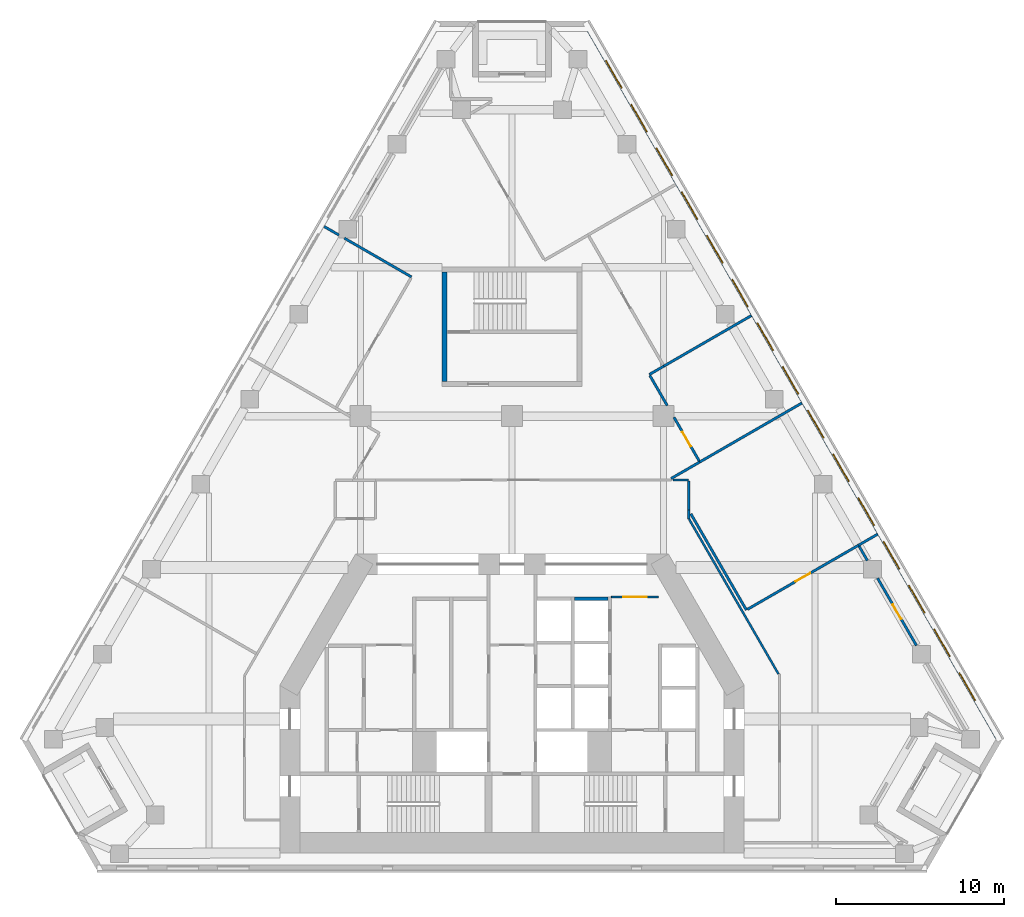
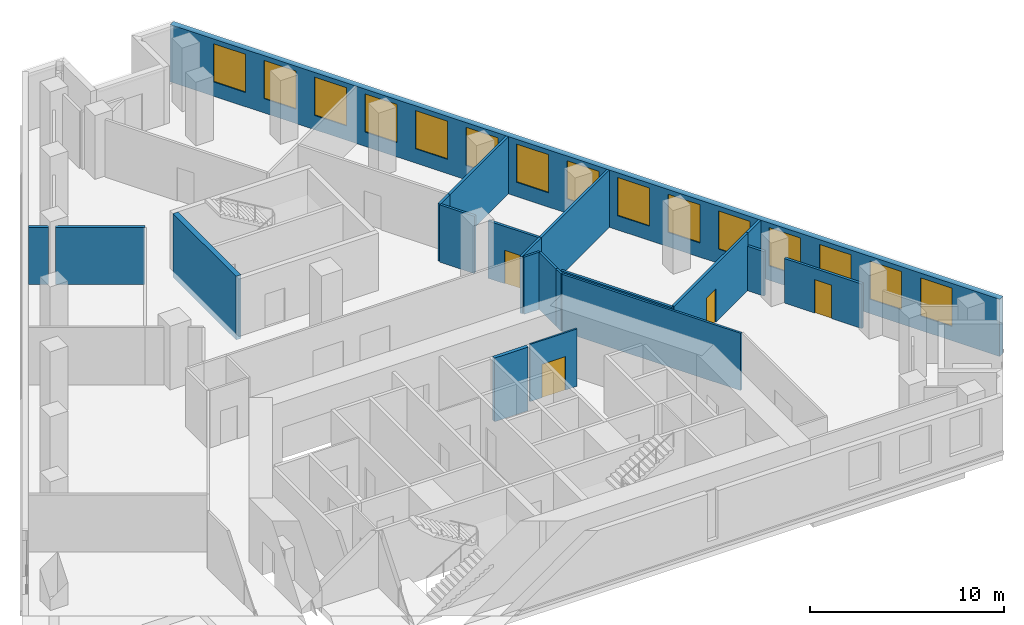
# One storey, part 7 of 9: 21 walls, 15 windows, 4 doors, 19 openings.
"""IFC4 building model written with IfcOpenShell, lengths in metres."""

from ifc_helpers import new_model, si_unit, direction, frame, frame_2d, origin, place, context, subcontext, project, spatial, rectangle, extrude, material, layer, layer_set, type_object, element, fill, save


model = new_model("IFC4")

# Units and contexts
model_context = context("Model", 3, precision=1e-05, world=origin(), true_north=direction((0.0, 1.0)))
body_context = subcontext(model_context, "Body", "Model", "MODEL_VIEW")
ifc_project = project(units=[si_unit("LENGTHUNIT", "METRE"), si_unit("AREAUNIT", "SQUARE_METRE"), si_unit("VOLUMEUNIT", "CUBIC_METRE"), si_unit("PLANEANGLEUNIT", "RADIAN"), si_unit("MASSUNIT", "GRAM", prefix="KILO")], contexts=[model_context])

# Site, building, storey
site_placement = place(None, origin())
site = spatial("IfcSite", under=ifc_project, at=site_placement, CompositionType="ELEMENT")
building_placement = place(site_placement, origin())
building = spatial("IfcBuilding", under=site, at=building_placement, Name="Fogline Exchange Tower", CompositionType="ELEMENT")
storey_placement = place(building_placement, frame((0.0, 0.0, 150.89990234375)))
storey = spatial("IfcBuildingStorey", under=building, at=storey_placement, Name="L33", CompositionType="ELEMENT", Elevation=150.89990234375)

# Wall, opening, door
ifc_material_1 = material(Name="Blockwork partition", Category="masonry")
ifc_layer_1 = layer(ifc_material_1, 0.10009765625)
ifc_layer_set_1 = layer_set([ifc_layer_1], Name="CW10")
wall_type_1 = type_object("IfcWallType", Name="CW10", PredefinedType="PARTITIONING", material=ifc_layer_set_1)
wall_1_placement = place(storey_placement, frame((5.89990234375, 16.25, 0.0), z_axis=(0.0, 0.0, 1.0), x_axis=(1.0, 0.0, 0.0)))
wall_1 = element("IfcWall", 1, at=wall_1_placement, inside=storey, type_object=wall_type_1, Name="Lift lobby partition", PredefinedType="PARTITIONING", context=body_context, shape_type="SweptSolid", body=[
    extrude(rectangle(XDim=2.800048828125, YDim=0.10009765625, at=frame_2d((1.39990234375, 0.0))), origin(), (0.0, 0.0, 1.0), 3.60009765625),
])
opening_1_placement = place(wall_1_placement, frame((0.699951171875, 0.0, 0.0)))
opening_1 = element("IfcOpeningElement", 2, at=opening_1_placement, cuts=wall_1, Name="Opening T10-C012", PredefinedType="OPENING", context=body_context, shape_type="SweptSolid", body=[
    extrude(rectangle(XDim=1.39990234375, YDim=2.10009765625, at=frame_2d((0.699951171875, 1.050048828125))), frame((0.0, 0.06005859375, 0.0), z_axis=(0.0, -1.0, 0.0), x_axis=(1.0, 0.0, 0.0)), (0.0, 0.0, 1.0), 0.1201171875),
])
ifc_material_2 = material(Name="Steel and timber fire door", Category="steel")
door_type_1 = type_object("IfcDoorType", Name="D-LB1", OperationType="DOUBLE_DOOR_SINGLE_SWING", PredefinedType="DOOR", material=ifc_material_2)
door_1_placement = place(opening_1_placement, origin())
door_1 = element("IfcDoor", 3, at=door_1_placement, inside=storey, type_object=door_type_1, Name="Door to lift lobby", OperationType="DOUBLE_DOOR_SINGLE_SWING", OverallHeight=2.10009765625, OverallWidth=1.39990234375, PredefinedType="DOOR", context=body_context, shape_type="SweptSolid", body=[
    extrude(rectangle(XDim=1.39990234375, YDim=2.10009765625, at=frame_2d((0.699951171875, 1.050048828125))), frame((0.0, 0.02490234375, 0.0), z_axis=(0.0, -1.0, 0.0), x_axis=(1.0, 0.0, 0.0)), (0.0, 0.0, 1.0), 0.050048828125),
])
fill(opening_1, door_1)

# Walls
ifc_material_3 = material(Name="Concrete C40", Category="concrete")
ifc_layer_2 = layer(ifc_material_3, 0.199951171875)
ifc_layer_set_2 = layer_set([ifc_layer_2], Name="CW20S")
wall_type_2 = type_object("IfcWallType", Name="CW20S", PredefinedType="SOLIDWALL", material=ifc_layer_set_2)
wall_2_placement = place(storey_placement, frame((3.699951171875, 16.14990234375, -0.39990234375), z_axis=(0.0, 0.0, 1.0), x_axis=(1.0, 0.0, 0.0)))
element("IfcWall", 4, at=wall_2_placement, inside=storey, type_object=wall_type_2, Name="Lift shaft wall", PredefinedType="SOLIDWALL", context=body_context, shape_type="SweptSolid", body=[
    extrude(rectangle(XDim=2.0, YDim=0.199951171875, at=frame_2d((1.0, 0.0))), origin(), (0.0, 0.0, 1.0), 4.0),
])
ifc_layer_3 = layer(ifc_material_3, 0.300048828125)
ifc_layer_set_3 = layer_set([ifc_layer_3], Name="CW30")
wall_type_3 = type_object("IfcWallType", Name="CW30", PredefinedType="SOLIDWALL", material=ifc_layer_set_3)
wall_3_placement = place(storey_placement, frame((-4.0, 29.056884765625, -0.39990234375), z_axis=(0.0, 0.0, 1.0), x_axis=(0.0, 1.0, 0.0)))
element("IfcWall", 5, at=wall_3_placement, inside=storey, type_object=wall_type_3, Name="Stair enclosure wall ST3", PredefinedType="SOLIDWALL", context=body_context, shape_type="SweptSolid", body=[
    extrude(rectangle(XDim=6.5, YDim=0.300048828125, at=frame_2d((3.25, 0.0))), origin(), (0.0, 0.0, 1.0), 4.0),
])

# Wall, openings, windows
ifc_material_4 = material(Name="Brick masonry", Category="masonry")
ifc_layer_4 = layer(ifc_material_4, 0.340087890625)
ifc_layer_set_4 = layer_set([ifc_layer_4], Name="FW1")
wall_type_4 = type_object("IfcWallType", Name="FW1", PredefinedType="SOLIDWALL", material=ifc_layer_set_4)
wall_4_placement = place(storey_placement, frame((29.001220703125, 7.709228515625, 0.0), z_axis=(0.0, 0.0, 1.0), x_axis=(-0.499999677325, 0.866025590081, 0.0)))
wall_4 = element("IfcWall", 6, at=wall_4_placement, inside=storey, type_object=wall_type_4, Name="Brick wall L33 E", PredefinedType="SOLIDWALL", context=body_context, shape_type="SweptSolid", body=[
    extrude(rectangle(XDim=49.296875, YDim=0.340087890625, at=frame_2d((24.6484375, 0.0))), origin(), (0.0, 0.0, 1.0), 3.60009765625),
])
opening_2_placement = place(wall_4_placement, frame((2.82421875, 0.0, 0.89990234375)))
opening_2 = element("IfcOpeningElement", 7, at=opening_2_placement, cuts=wall_4, Name="Opening W1", PredefinedType="OPENING", context=body_context, shape_type="SweptSolid", body=[
    extrude(rectangle(XDim=1.885009765625, YDim=2.39990234375, at=frame_2d((0.9423828125, 1.199951171875))), frame((0.0, 0.18017578125, 0.0), z_axis=(0.0, -1.0, 0.0), x_axis=(1.0, 0.0, 0.0)), (0.0, 0.0, 1.0), 0.360107421875),
])
opening_3_placement = place(wall_4_placement, frame((5.82421875, 0.0, 0.89990234375)))
opening_3 = element("IfcOpeningElement", 8, at=opening_3_placement, cuts=wall_4, Name="Opening W1", PredefinedType="OPENING", context=body_context, shape_type="SweptSolid", body=[
    extrude(rectangle(XDim=1.885009765625, YDim=2.39990234375, at=frame_2d((0.9423828125, 1.199951171875))), frame((0.0, 0.18017578125, 0.0), z_axis=(0.0, -1.0, 0.0), x_axis=(1.0, 0.0, 0.0)), (0.0, 0.0, 1.0), 0.360107421875),
])
opening_4_placement = place(wall_4_placement, frame((8.82421875, 0.0, 0.89990234375)))
opening_4 = element("IfcOpeningElement", 9, at=opening_4_placement, cuts=wall_4, Name="Opening W1", PredefinedType="OPENING", context=body_context, shape_type="SweptSolid", body=[
    extrude(rectangle(XDim=1.885009765625, YDim=2.39990234375, at=frame_2d((0.9423828125, 1.199951171875))), frame((0.0, 0.18017578125, 0.0), z_axis=(0.0, -1.0, 0.0), x_axis=(1.0, 0.0, 0.0)), (0.0, 0.0, 1.0), 0.360107421875),
])
opening_5_placement = place(wall_4_placement, frame((11.82421875, 0.0, 0.89990234375)))
opening_5 = element("IfcOpeningElement", 10, at=opening_5_placement, cuts=wall_4, Name="Opening W1", PredefinedType="OPENING", context=body_context, shape_type="SweptSolid", body=[
    extrude(rectangle(XDim=1.885009765625, YDim=2.39990234375, at=frame_2d((0.9423828125, 1.199951171875))), frame((0.0, 0.18017578125, 0.0), z_axis=(0.0, -1.0, 0.0), x_axis=(1.0, 0.0, 0.0)), (0.0, 0.0, 1.0), 0.360107421875),
])
opening_6_placement = place(wall_4_placement, frame((14.82421875, 0.0, 0.89990234375)))
opening_6 = element("IfcOpeningElement", 11, at=opening_6_placement, cuts=wall_4, Name="Opening W1", PredefinedType="OPENING", context=body_context, shape_type="SweptSolid", body=[
    extrude(rectangle(XDim=1.885009765625, YDim=2.39990234375, at=frame_2d((0.9423828125, 1.199951171875))), frame((0.0, 0.18017578125, 0.0), z_axis=(0.0, -1.0, 0.0), x_axis=(1.0, 0.0, 0.0)), (0.0, 0.0, 1.0), 0.360107421875),
])
opening_7_placement = place(wall_4_placement, frame((17.82421875, 0.0, 0.89990234375)))
opening_7 = element("IfcOpeningElement", 12, at=opening_7_placement, cuts=wall_4, Name="Opening W1", PredefinedType="OPENING", context=body_context, shape_type="SweptSolid", body=[
    extrude(rectangle(XDim=1.885009765625, YDim=2.39990234375, at=frame_2d((0.9423828125, 1.199951171875))), frame((0.0, 0.18017578125, 0.0), z_axis=(0.0, -1.0, 0.0), x_axis=(1.0, 0.0, 0.0)), (0.0, 0.0, 1.0), 0.360107421875),
])
opening_8_placement = place(wall_4_placement, frame((20.82421875, 0.0, 0.89990234375)))
opening_8 = element("IfcOpeningElement", 13, at=opening_8_placement, cuts=wall_4, Name="Opening W1", PredefinedType="OPENING", context=body_context, shape_type="SweptSolid", body=[
    extrude(rectangle(XDim=1.885009765625, YDim=2.39990234375, at=frame_2d((0.9423828125, 1.199951171875))), frame((0.0, 0.18017578125, 0.0), z_axis=(0.0, -1.0, 0.0), x_axis=(1.0, 0.0, 0.0)), (0.0, 0.0, 1.0), 0.360107421875),
])
opening_9_placement = place(wall_4_placement, frame((23.82421875, 0.0, 0.89990234375)))
opening_9 = element("IfcOpeningElement", 14, at=opening_9_placement, cuts=wall_4, Name="Opening W1", PredefinedType="OPENING", context=body_context, shape_type="SweptSolid", body=[
    extrude(rectangle(XDim=1.885009765625, YDim=2.39990234375, at=frame_2d((0.9423828125, 1.199951171875))), frame((0.0, 0.18017578125, 0.0), z_axis=(0.0, -1.0, 0.0), x_axis=(1.0, 0.0, 0.0)), (0.0, 0.0, 1.0), 0.360107421875),
])
opening_10_placement = place(wall_4_placement, frame((26.82421875, 0.0, 0.89990234375)))
opening_10 = element("IfcOpeningElement", 15, at=opening_10_placement, cuts=wall_4, Name="Opening W1", PredefinedType="OPENING", context=body_context, shape_type="SweptSolid", body=[
    extrude(rectangle(XDim=1.885009765625, YDim=2.39990234375, at=frame_2d((0.9423828125, 1.199951171875))), frame((0.0, 0.18017578125, 0.0), z_axis=(0.0, -1.0, 0.0), x_axis=(1.0, 0.0, 0.0)), (0.0, 0.0, 1.0), 0.360107421875),
])
opening_11_placement = place(wall_4_placement, frame((29.82421875, 0.0, 0.89990234375)))
opening_11 = element("IfcOpeningElement", 16, at=opening_11_placement, cuts=wall_4, Name="Opening W1", PredefinedType="OPENING", context=body_context, shape_type="SweptSolid", body=[
    extrude(rectangle(XDim=1.885009765625, YDim=2.39990234375, at=frame_2d((0.9423828125, 1.199951171875))), frame((0.0, 0.18017578125, 0.0), z_axis=(0.0, -1.0, 0.0), x_axis=(1.0, 0.0, 0.0)), (0.0, 0.0, 1.0), 0.360107421875),
])
opening_12_placement = place(wall_4_placement, frame((32.82421875, 0.0, 0.89990234375)))
opening_12 = element("IfcOpeningElement", 17, at=opening_12_placement, cuts=wall_4, Name="Opening W1", PredefinedType="OPENING", context=body_context, shape_type="SweptSolid", body=[
    extrude(rectangle(XDim=1.885009765625, YDim=2.39990234375, at=frame_2d((0.9423828125, 1.199951171875))), frame((0.0, 0.18017578125, 0.0), z_axis=(0.0, -1.0, 0.0), x_axis=(1.0, 0.0, 0.0)), (0.0, 0.0, 1.0), 0.360107421875),
])
opening_13_placement = place(wall_4_placement, frame((35.82421875, 0.0, 0.89990234375)))
opening_13 = element("IfcOpeningElement", 18, at=opening_13_placement, cuts=wall_4, Name="Opening W1", PredefinedType="OPENING", context=body_context, shape_type="SweptSolid", body=[
    extrude(rectangle(XDim=1.885009765625, YDim=2.39990234375, at=frame_2d((0.9423828125, 1.199951171875))), frame((0.0, 0.18017578125, 0.0), z_axis=(0.0, -1.0, 0.0), x_axis=(1.0, 0.0, 0.0)), (0.0, 0.0, 1.0), 0.360107421875),
])
opening_14_placement = place(wall_4_placement, frame((38.82421875, 0.0, 0.89990234375)))
opening_14 = element("IfcOpeningElement", 19, at=opening_14_placement, cuts=wall_4, Name="Opening W1", PredefinedType="OPENING", context=body_context, shape_type="SweptSolid", body=[
    extrude(rectangle(XDim=1.885009765625, YDim=2.39990234375, at=frame_2d((0.9423828125, 1.199951171875))), frame((0.0, 0.18017578125, 0.0), z_axis=(0.0, -1.0, 0.0), x_axis=(1.0, 0.0, 0.0)), (0.0, 0.0, 1.0), 0.360107421875),
])
opening_15_placement = place(wall_4_placement, frame((41.82421875, 0.0, 0.89990234375)))
opening_15 = element("IfcOpeningElement", 20, at=opening_15_placement, cuts=wall_4, Name="Opening W1", PredefinedType="OPENING", context=body_context, shape_type="SweptSolid", body=[
    extrude(rectangle(XDim=1.885009765625, YDim=2.39990234375, at=frame_2d((0.9423828125, 1.199951171875))), frame((0.0, 0.18017578125, 0.0), z_axis=(0.0, -1.0, 0.0), x_axis=(1.0, 0.0, 0.0)), (0.0, 0.0, 1.0), 0.360107421875),
])
opening_16_placement = place(wall_4_placement, frame((44.82421875, 0.0, 0.89990234375)))
opening_16 = element("IfcOpeningElement", 21, at=opening_16_placement, cuts=wall_4, Name="Opening W1", PredefinedType="OPENING", context=body_context, shape_type="SweptSolid", body=[
    extrude(rectangle(XDim=1.885009765625, YDim=2.39990234375, at=frame_2d((0.9423828125, 1.199951171875))), frame((0.0, 0.18017578125, 0.0), z_axis=(0.0, -1.0, 0.0), x_axis=(1.0, 0.0, 0.0)), (0.0, 0.0, 1.0), 0.360107421875),
])
ifc_material_5 = material(Name="Aluminium and glass", Category="aluminium")
window_type = type_object("IfcWindowType", Name="W1", PartitioningType="SINGLE_PANEL", PredefinedType="WINDOW", material=ifc_material_5)
window_1_placement = place(opening_2_placement, origin())
window_1 = element("IfcWindow", 22, at=window_1_placement, inside=storey, type_object=window_type, Name="W1 W1", OverallHeight=2.39990234375, OverallWidth=1.885009765625, PartitioningType="SINGLE_PANEL", PredefinedType="WINDOW", context=body_context, shape_type="SweptSolid", body=[
    extrude(rectangle(XDim=1.885009765625, YDim=2.39990234375, at=frame_2d((0.9423828125, 1.199951171875))), frame((0.0, 0.110107421875, 0.0), z_axis=(0.0, -1.0, 0.0), x_axis=(1.0, 0.0, 0.0)), (0.0, 0.0, 1.0), 0.06005859375),
])
fill(opening_2, window_1)
window_2_placement = place(opening_3_placement, origin())
window_2 = element("IfcWindow", 23, at=window_2_placement, inside=storey, type_object=window_type, Name="W1 W1", OverallHeight=2.39990234375, OverallWidth=1.885009765625, PartitioningType="SINGLE_PANEL", PredefinedType="WINDOW", context=body_context, shape_type="SweptSolid", body=[
    extrude(rectangle(XDim=1.885009765625, YDim=2.39990234375, at=frame_2d((0.9423828125, 1.199951171875))), frame((0.0, 0.110107421875, 0.0), z_axis=(0.0, -1.0, 0.0), x_axis=(1.0, 0.0, 0.0)), (0.0, 0.0, 1.0), 0.06005859375),
])
fill(opening_3, window_2)
window_3_placement = place(opening_4_placement, origin())
window_3 = element("IfcWindow", 24, at=window_3_placement, inside=storey, type_object=window_type, Name="W1 W1", OverallHeight=2.39990234375, OverallWidth=1.885009765625, PartitioningType="SINGLE_PANEL", PredefinedType="WINDOW", context=body_context, shape_type="SweptSolid", body=[
    extrude(rectangle(XDim=1.885009765625, YDim=2.39990234375, at=frame_2d((0.9423828125, 1.199951171875))), frame((0.0, 0.110107421875, 0.0), z_axis=(0.0, -1.0, 0.0), x_axis=(1.0, 0.0, 0.0)), (0.0, 0.0, 1.0), 0.06005859375),
])
fill(opening_4, window_3)
window_4_placement = place(opening_5_placement, origin())
window_4 = element("IfcWindow", 25, at=window_4_placement, inside=storey, type_object=window_type, Name="W1 W1", OverallHeight=2.39990234375, OverallWidth=1.885009765625, PartitioningType="SINGLE_PANEL", PredefinedType="WINDOW", context=body_context, shape_type="SweptSolid", body=[
    extrude(rectangle(XDim=1.885009765625, YDim=2.39990234375, at=frame_2d((0.9423828125, 1.199951171875))), frame((0.0, 0.110107421875, 0.0), z_axis=(0.0, -1.0, 0.0), x_axis=(1.0, 0.0, 0.0)), (0.0, 0.0, 1.0), 0.06005859375),
])
fill(opening_5, window_4)
window_5_placement = place(opening_6_placement, origin())
window_5 = element("IfcWindow", 26, at=window_5_placement, inside=storey, type_object=window_type, Name="W1 W1", OverallHeight=2.39990234375, OverallWidth=1.885009765625, PartitioningType="SINGLE_PANEL", PredefinedType="WINDOW", context=body_context, shape_type="SweptSolid", body=[
    extrude(rectangle(XDim=1.885009765625, YDim=2.39990234375, at=frame_2d((0.9423828125, 1.199951171875))), frame((0.0, 0.110107421875, 0.0), z_axis=(0.0, -1.0, 0.0), x_axis=(1.0, 0.0, 0.0)), (0.0, 0.0, 1.0), 0.06005859375),
])
fill(opening_6, window_5)
window_6_placement = place(opening_7_placement, origin())
window_6 = element("IfcWindow", 27, at=window_6_placement, inside=storey, type_object=window_type, Name="W1 W1", OverallHeight=2.39990234375, OverallWidth=1.885009765625, PartitioningType="SINGLE_PANEL", PredefinedType="WINDOW", context=body_context, shape_type="SweptSolid", body=[
    extrude(rectangle(XDim=1.885009765625, YDim=2.39990234375, at=frame_2d((0.9423828125, 1.199951171875))), frame((0.0, 0.110107421875, 0.0), z_axis=(0.0, -1.0, 0.0), x_axis=(1.0, 0.0, 0.0)), (0.0, 0.0, 1.0), 0.06005859375),
])
fill(opening_7, window_6)
window_7_placement = place(opening_8_placement, origin())
window_7 = element("IfcWindow", 28, at=window_7_placement, inside=storey, type_object=window_type, Name="W1 W1", OverallHeight=2.39990234375, OverallWidth=1.885009765625, PartitioningType="SINGLE_PANEL", PredefinedType="WINDOW", context=body_context, shape_type="SweptSolid", body=[
    extrude(rectangle(XDim=1.885009765625, YDim=2.39990234375, at=frame_2d((0.9423828125, 1.199951171875))), frame((0.0, 0.110107421875, 0.0), z_axis=(0.0, -1.0, 0.0), x_axis=(1.0, 0.0, 0.0)), (0.0, 0.0, 1.0), 0.06005859375),
])
fill(opening_8, window_7)
window_8_placement = place(opening_9_placement, origin())
window_8 = element("IfcWindow", 29, at=window_8_placement, inside=storey, type_object=window_type, Name="W1 W1", OverallHeight=2.39990234375, OverallWidth=1.885009765625, PartitioningType="SINGLE_PANEL", PredefinedType="WINDOW", context=body_context, shape_type="SweptSolid", body=[
    extrude(rectangle(XDim=1.885009765625, YDim=2.39990234375, at=frame_2d((0.9423828125, 1.199951171875))), frame((0.0, 0.110107421875, 0.0), z_axis=(0.0, -1.0, 0.0), x_axis=(1.0, 0.0, 0.0)), (0.0, 0.0, 1.0), 0.06005859375),
])
fill(opening_9, window_8)
window_9_placement = place(opening_10_placement, origin())
window_9 = element("IfcWindow", 30, at=window_9_placement, inside=storey, type_object=window_type, Name="W1 W1", OverallHeight=2.39990234375, OverallWidth=1.885009765625, PartitioningType="SINGLE_PANEL", PredefinedType="WINDOW", context=body_context, shape_type="SweptSolid", body=[
    extrude(rectangle(XDim=1.885009765625, YDim=2.39990234375, at=frame_2d((0.9423828125, 1.199951171875))), frame((0.0, 0.110107421875, 0.0), z_axis=(0.0, -1.0, 0.0), x_axis=(1.0, 0.0, 0.0)), (0.0, 0.0, 1.0), 0.06005859375),
])
fill(opening_10, window_9)
window_10_placement = place(opening_11_placement, origin())
window_10 = element("IfcWindow", 31, at=window_10_placement, inside=storey, type_object=window_type, Name="W1 W1", OverallHeight=2.39990234375, OverallWidth=1.885009765625, PartitioningType="SINGLE_PANEL", PredefinedType="WINDOW", context=body_context, shape_type="SweptSolid", body=[
    extrude(rectangle(XDim=1.885009765625, YDim=2.39990234375, at=frame_2d((0.9423828125, 1.199951171875))), frame((0.0, 0.110107421875, 0.0), z_axis=(0.0, -1.0, 0.0), x_axis=(1.0, 0.0, 0.0)), (0.0, 0.0, 1.0), 0.06005859375),
])
fill(opening_11, window_10)
window_11_placement = place(opening_12_placement, origin())
window_11 = element("IfcWindow", 32, at=window_11_placement, inside=storey, type_object=window_type, Name="W1 W1", OverallHeight=2.39990234375, OverallWidth=1.885009765625, PartitioningType="SINGLE_PANEL", PredefinedType="WINDOW", context=body_context, shape_type="SweptSolid", body=[
    extrude(rectangle(XDim=1.885009765625, YDim=2.39990234375, at=frame_2d((0.9423828125, 1.199951171875))), frame((0.0, 0.110107421875, 0.0), z_axis=(0.0, -1.0, 0.0), x_axis=(1.0, 0.0, 0.0)), (0.0, 0.0, 1.0), 0.06005859375),
])
fill(opening_12, window_11)
window_12_placement = place(opening_13_placement, origin())
window_12 = element("IfcWindow", 33, at=window_12_placement, inside=storey, type_object=window_type, Name="W1 W1", OverallHeight=2.39990234375, OverallWidth=1.885009765625, PartitioningType="SINGLE_PANEL", PredefinedType="WINDOW", context=body_context, shape_type="SweptSolid", body=[
    extrude(rectangle(XDim=1.885009765625, YDim=2.39990234375, at=frame_2d((0.9423828125, 1.199951171875))), frame((0.0, 0.110107421875, 0.0), z_axis=(0.0, -1.0, 0.0), x_axis=(1.0, 0.0, 0.0)), (0.0, 0.0, 1.0), 0.06005859375),
])
fill(opening_13, window_12)
window_13_placement = place(opening_14_placement, origin())
window_13 = element("IfcWindow", 34, at=window_13_placement, inside=storey, type_object=window_type, Name="W1 W1", OverallHeight=2.39990234375, OverallWidth=1.885009765625, PartitioningType="SINGLE_PANEL", PredefinedType="WINDOW", context=body_context, shape_type="SweptSolid", body=[
    extrude(rectangle(XDim=1.885009765625, YDim=2.39990234375, at=frame_2d((0.9423828125, 1.199951171875))), frame((0.0, 0.110107421875, 0.0), z_axis=(0.0, -1.0, 0.0), x_axis=(1.0, 0.0, 0.0)), (0.0, 0.0, 1.0), 0.06005859375),
])
fill(opening_14, window_13)
window_14_placement = place(opening_15_placement, origin())
window_14 = element("IfcWindow", 35, at=window_14_placement, inside=storey, type_object=window_type, Name="W1 W1", OverallHeight=2.39990234375, OverallWidth=1.885009765625, PartitioningType="SINGLE_PANEL", PredefinedType="WINDOW", context=body_context, shape_type="SweptSolid", body=[
    extrude(rectangle(XDim=1.885009765625, YDim=2.39990234375, at=frame_2d((0.9423828125, 1.199951171875))), frame((0.0, 0.110107421875, 0.0), z_axis=(0.0, -1.0, 0.0), x_axis=(1.0, 0.0, 0.0)), (0.0, 0.0, 1.0), 0.06005859375),
])
fill(opening_15, window_14)
window_15_placement = place(opening_16_placement, origin())
window_15 = element("IfcWindow", 36, at=window_15_placement, inside=storey, type_object=window_type, Name="W1 W1", OverallHeight=2.39990234375, OverallWidth=1.885009765625, PartitioningType="SINGLE_PANEL", PredefinedType="WINDOW", context=body_context, shape_type="SweptSolid", body=[
    extrude(rectangle(XDim=1.885009765625, YDim=2.39990234375, at=frame_2d((0.9423828125, 1.199951171875))), frame((0.0, 0.110107421875, 0.0), z_axis=(0.0, -1.0, 0.0), x_axis=(1.0, 0.0, 0.0)), (0.0, 0.0, 1.0), 0.06005859375),
])
fill(opening_16, window_15)

# Walls
ifc_material_6 = material(Name="Plasterboard corridor partition with mineral wool, 2 layers each side")
ifc_layer_5 = layer(ifc_material_6, 0.125)
ifc_layer_set_5 = layer_set([ifc_layer_5], Name="PW2")
wall_type_5 = type_object("IfcWallType", Name="PW2", PredefinedType="PARTITIONING", material=ifc_layer_set_5)
wall_5_placement = place(storey_placement, frame((10.522216796875, 20.876220703125, 0.0), z_axis=(0.0, 0.0, 1.0), x_axis=(0.499994810213, -0.866028400089, 0.0)))
element("IfcWall", 37, at=wall_5_placement, inside=storey, type_object=wall_type_5, Name="wall-L33-W001", PredefinedType="PARTITIONING", context=body_context, shape_type="SweptSolid", body=[
    extrude(rectangle(XDim=10.63037109375, YDim=0.125, at=frame_2d((5.315185546875, 0.0))), origin(), (0.0, 0.0, 1.0), 3.60009765625),
])
wall_6_placement = place(storey_placement, frame((9.557373046875, 23.199951171875, 0.0), z_axis=(0.0, 0.0, 1.0), x_axis=(1.0, 0.0, 0.0)))
element("IfcWall", 38, at=wall_6_placement, inside=storey, type_object=wall_type_5, Name="wall-L33-W004", PredefinedType="PARTITIONING", context=body_context, shape_type="SweptSolid", body=[
    extrude(rectangle(XDim=0.942626953125, YDim=0.125, at=frame_2d((0.47119140625, 0.0))), origin(), (0.0, 0.0, 1.0), 3.60009765625),
])
wall_7_placement = place(storey_placement, frame((10.5, 23.137451171875, 0.0), z_axis=(0.0, 0.0, 1.0), x_axis=(0.0, -1.0, 0.0)))
element("IfcWall", 39, at=wall_7_placement, inside=storey, type_object=wall_type_5, Name="wall-L33-W005", PredefinedType="PARTITIONING", context=body_context, shape_type="SweptSolid", body=[
    extrude(rectangle(XDim=1.72314453125, YDim=0.125, at=frame_2d((0.861572265625, 0.0))), origin(), (0.0, 0.0, 1.0), 3.60009765625),
])
wall_8_placement = place(storey_placement, frame((10.5, 21.414306640625, 0.0), z_axis=(0.0, 0.0, 1.0), x_axis=(0.0, -1.0, 0.0)))
element("IfcWall", 40, at=wall_8_placement, inside=storey, type_object=wall_type_5, Name="wall-L33-W009", PredefinedType="PARTITIONING", context=body_context, shape_type="SweptSolid", body=[
    extrude(rectangle(XDim=0.514404296875, YDim=0.125, at=frame_2d((0.25732421875, 0.0))), origin(), (0.0, 0.0, 1.0), 3.60009765625),
])
ifc_material_7 = material(Name="Plasterboard demising partition with mineral wool and acoustic board")
ifc_layer_6 = layer(ifc_material_7, 0.14990234375)
ifc_layer_set_6 = layer_set([ifc_layer_6], Name="PW3")
wall_type_6 = type_object("IfcWallType", Name="PW3", PredefinedType="PARTITIONING", material=ifc_layer_set_6)
wall_9_placement = place(storey_placement, frame((11.158447265625, 24.273681640625, 0.0), z_axis=(0.0, 0.0, 1.0), x_axis=(0.866028190633, 0.499995173006, 0.0)))
element("IfcWall", 41, at=wall_9_placement, inside=storey, type_object=wall_type_6, Name="wall-L33-W014", PredefinedType="PARTITIONING", context=body_context, shape_type="SweptSolid", body=[
    extrude(rectangle(XDim=7.0, YDim=0.14990234375, at=frame_2d((3.5, 0.0))), origin(), (0.0, 0.0, 1.0), 3.60009765625),
])
wall_10_placement = place(storey_placement, frame((9.453857421875, 23.289794921875, 0.0), z_axis=(0.0, 0.0, 1.0), x_axis=(0.866082311439, 0.499901420094, 0.0)))
element("IfcWall", 42, at=wall_10_placement, inside=storey, type_object=wall_type_6, Name="wall-L33-W015", PredefinedType="PARTITIONING", context=body_context, shape_type="SweptSolid", body=[
    extrude(rectangle(XDim=1.96826171875, YDim=0.14990234375, at=frame_2d((0.984130859375, 0.0))), origin(), (0.0, 0.0, 1.0), 3.60009765625),
])
wall_11_placement = place(storey_placement, frame((21.720703125, 19.9794921875, 0.0), z_axis=(0.0, 0.0, 1.0), x_axis=(-0.86607031481, -0.499922203753, 0.0)))
element("IfcWall", 43, at=wall_11_placement, inside=storey, type_object=wall_type_6, Name="wall-L33-W016", PredefinedType="PARTITIONING", context=body_context, shape_type="SweptSolid", body=[
    extrude(rectangle(XDim=1.304931640625, YDim=0.14990234375, at=frame_2d((0.65234375, 0.0))), origin(), (0.0, 0.0, 1.0), 3.60009765625),
])

# Wall, opening, door
wall_12_placement = place(storey_placement, frame((20.590576171875, 19.3271484375, 0.0), z_axis=(0.0, 0.0, 1.0), x_axis=(-0.866022320763, -0.500005339912, 0.0)))
wall_12 = element("IfcWall", 44, at=wall_12_placement, inside=storey, type_object=wall_type_6, Name="wall-L33-W017", PredefinedType="PARTITIONING", context=body_context, shape_type="SweptSolid", body=[
    extrude(rectangle(XDim=7.6201171875, YDim=0.14990234375, at=frame_2d((3.81005859375, 0.0))), origin(), (0.0, 0.0, 1.0), 3.60009765625),
])
opening_17_placement = place(wall_12_placement, frame((3.31005859375, 0.0, 0.0)))
opening_17 = element("IfcOpeningElement", 45, at=opening_17_placement, cuts=wall_12, Name="Opening T10-D006", PredefinedType="OPENING", context=body_context, shape_type="SweptSolid", body=[
    extrude(rectangle(XDim=1.0, YDim=2.10009765625, at=frame_2d((0.5, 1.050048828125))), frame((0.0, 0.0849609375, 0.0), z_axis=(0.0, -1.0, 0.0), x_axis=(1.0, 0.0, 0.0)), (0.0, 0.0, 1.0), 0.169921875),
])
ifc_material_8 = material(Name="Fire-rated timber door leaf with steel frame", Category="steel")
door_type_2 = type_object("IfcDoorType", Name="D3", OperationType="SINGLE_SWING_LEFT", PredefinedType="DOOR", material=ifc_material_8)
door_2_placement = place(opening_17_placement, frame((1.0, 0.0, 0.0), z_axis=(0.0, 0.0, 1.0), x_axis=(-1.0, 0.0, 0.0)))
door_2 = element("IfcDoor", 46, at=door_2_placement, inside=storey, type_object=door_type_2, Name="door-L33-D006", OperationType="SINGLE_SWING_RIGHT", OverallHeight=2.10009765625, OverallWidth=1.0, PredefinedType="DOOR", context=body_context, shape_type="SweptSolid", body=[
    extrude(rectangle(XDim=1.0, YDim=2.10009765625, at=frame_2d((0.5, 1.050048828125))), frame((0.0, 0.02490234375, 0.0), z_axis=(0.0, -1.0, 0.0), x_axis=(1.0, 0.0, 0.0)), (0.0, 0.0, 1.0), 0.050048828125),
])
fill(opening_17, door_2)

# Walls
wall_13_placement = place(storey_placement, frame((13.926513671875, 15.4794921875, 0.0), z_axis=(0.0, 0.0, 1.0), x_axis=(-0.500007539231, 0.866021050964, 0.0)))
element("IfcWall", 47, at=wall_13_placement, inside=storey, type_object=wall_type_6, Name="wall-L33-W018", PredefinedType="PARTITIONING", context=body_context, shape_type="SweptSolid", body=[
    extrude(rectangle(XDim=6.59765625, YDim=0.14990234375, at=frame_2d((3.298828125, 0.0))), origin(), (0.0, 0.0, 1.0), 3.60009765625),
])
wall_14_placement = place(storey_placement, frame((9.0244140625, 29.969970703125, 0.0), z_axis=(0.0, 0.0, 1.0), x_axis=(0.866031096941, 0.499990139034, 0.0)))
element("IfcWall", 48, at=wall_14_placement, inside=storey, type_object=wall_type_6, Name="wall-L33-W019", PredefinedType="PARTITIONING", context=body_context, shape_type="SweptSolid", body=[
    extrude(rectangle(XDim=6.0, YDim=0.14990234375, at=frame_2d((3.0, 0.0))), origin(), (0.0, 0.0, 1.0), 3.60009765625),
])

# Wall, opening, door
wall_15_placement = place(storey_placement, frame((11.12109375, 24.3388671875, 0.0), z_axis=(0.0, 0.0, 1.0), x_axis=(-0.500035592419, 0.866004853516, 0.0)))
wall_15 = element("IfcWall", 49, at=wall_15_placement, inside=storey, type_object=wall_type_6, Name="wall-L33-W020", PredefinedType="PARTITIONING", context=body_context, shape_type="SweptSolid", body=[
    extrude(rectangle(XDim=2.991943359375, YDim=0.14990234375, at=frame_2d((1.49609375, 0.0))), origin(), (0.0, 0.0, 1.0), 3.60009765625),
])
opening_18_placement = place(wall_15_placement, frame((0.99609375, 0.0, 0.0)))
opening_18 = element("IfcOpeningElement", 50, at=opening_18_placement, cuts=wall_15, Name="Opening T10-D007", PredefinedType="OPENING", context=body_context, shape_type="SweptSolid", body=[
    extrude(rectangle(XDim=1.0, YDim=2.10009765625, at=frame_2d((0.5, 1.050048828125))), frame((0.0, 0.0849609375, 0.0), z_axis=(0.0, -1.0, 0.0), x_axis=(1.0, 0.0, 0.0)), (0.0, 0.0, 1.0), 0.169921875),
])
door_3_placement = place(opening_18_placement, frame((1.0, 0.0, 0.0), z_axis=(0.0, 0.0, 1.0), x_axis=(-1.0, 0.0, 0.0)))
door_3 = element("IfcDoor", 51, at=door_3_placement, inside=storey, type_object=door_type_2, Name="door-L33-D007", OperationType="SINGLE_SWING_RIGHT", OverallHeight=2.10009765625, OverallWidth=1.0, PredefinedType="DOOR", context=body_context, shape_type="SweptSolid", body=[
    extrude(rectangle(XDim=1.0, YDim=2.10009765625, at=frame_2d((0.5, 1.050048828125))), frame((0.0, 0.02490234375, 0.0), z_axis=(0.0, -1.0, 0.0), x_axis=(1.0, 0.0, 0.0)), (0.0, 0.0, 1.0), 0.050048828125),
])
fill(opening_18, door_3)

# Walls
wall_16_placement = place(storey_placement, frame((9.2236328125, 27.625, 0.0), z_axis=(0.0, 0.0, 1.0), x_axis=(-0.499958946799, 0.866049104564, 0.0)))
element("IfcWall", 52, at=wall_16_placement, inside=storey, type_object=wall_type_6, Name="wall-L33-W021", PredefinedType="PARTITIONING", context=body_context, shape_type="SweptSolid", body=[
    extrude(rectangle(XDim=2.055419921875, YDim=0.14990234375, at=frame_2d((1.02783203125, 0.0))), origin(), (0.0, 0.0, 1.0), 3.60009765625),
])
wall_17_placement = place(storey_placement, frame((8.158447265625, 29.469970703125, 0.0), z_axis=(0.0, 0.0, 1.0), x_axis=(0.866010750942, 0.50002537861, 0.0)))
element("IfcWall", 53, at=wall_17_placement, inside=storey, type_object=wall_type_6, Name="wall-L33-W022", PredefinedType="PARTITIONING", context=body_context, shape_type="SweptSolid", body=[
    extrude(rectangle(XDim=1.0, YDim=0.14990234375, at=frame_2d((0.5, 0.0))), origin(), (0.0, 0.0, 1.0), 3.60009765625),
])
wall_18_placement = place(storey_placement, frame((-5.967041015625, 35.265625, 0.0), z_axis=(0.0, 0.0, 1.0), x_axis=(-0.866015398818, 0.500017328709, 0.0)))
element("IfcWall", 54, at=wall_18_placement, inside=storey, type_object=wall_type_6, Name="wall-L33-W033", PredefinedType="PARTITIONING", context=body_context, shape_type="SweptSolid", body=[
    extrude(rectangle(XDim=4.610595703125, YDim=0.14990234375, at=frame_2d((2.30517578125, 0.0))), origin(), (0.0, 0.0, 1.0), 3.60009765625),
])
wall_19_placement = place(storey_placement, frame((-10.279296875, 37.75537109375, 0.0), z_axis=(0.0, 0.0, 1.0), x_axis=(-0.866026229868, 0.499998569178, 0.0)))
element("IfcWall", 55, at=wall_19_placement, inside=storey, type_object=wall_type_6, Name="wall-L33-W038", PredefinedType="PARTITIONING", context=body_context, shape_type="SweptSolid", body=[
    extrude(rectangle(XDim=1.0205078125, YDim=0.14990234375, at=frame_2d((0.51025390625, 0.0))), origin(), (0.0, 0.0, 1.0), 3.60009765625),
])

# Wall, opening, door
wall_20_placement = place(storey_placement, frame((24.030029296875, 13.369384765625, 0.0), z_axis=(0.0, 0.0, 1.0), x_axis=(-0.499981705991, 0.866035965578, 0.0)))
wall_20 = element("IfcWall", 56, at=wall_20_placement, inside=storey, type_object=wall_type_6, Name="wall-L33-W050", PredefinedType="PARTITIONING", context=body_context, shape_type="SweptSolid", body=[
    extrude(rectangle(XDim=4.619384765625, YDim=0.14990234375, at=frame_2d((2.3095703125, 0.0))), origin(), (0.0, 0.0, 1.0), 2.800048828125),
])
opening_19_placement = place(wall_20_placement, frame((1.8095703125, 0.0, 0.0)))
opening_19 = element("IfcOpeningElement", 57, at=opening_19_placement, cuts=wall_20, Name="Opening T10-D013", PredefinedType="OPENING", context=body_context, shape_type="SweptSolid", body=[
    extrude(rectangle(XDim=1.0, YDim=2.10009765625, at=frame_2d((0.5, 1.050048828125))), frame((0.0, 0.0849609375, 0.0), z_axis=(0.0, -1.0, 0.0), x_axis=(1.0, 0.0, 0.0)), (0.0, 0.0, 1.0), 0.169921875),
])
door_4_placement = place(opening_19_placement, frame((1.0, 0.0, 0.0), z_axis=(0.0, 0.0, 1.0), x_axis=(-1.0, 0.0, 0.0)))
door_4 = element("IfcDoor", 58, at=door_4_placement, inside=storey, type_object=door_type_2, Name="door-L33-D013", OperationType="SINGLE_SWING_LEFT", OverallHeight=2.10009765625, OverallWidth=1.0, PredefinedType="DOOR", context=body_context, shape_type="SweptSolid", body=[
    extrude(rectangle(XDim=1.0, YDim=2.10009765625, at=frame_2d((0.5, 1.050048828125))), frame((0.0, 0.02490234375, 0.0), z_axis=(0.0, -1.0, 0.0), x_axis=(1.0, 0.0, 0.0)), (0.0, 0.0, 1.0), 0.050048828125),
])
fill(opening_19, door_4)

# Wall
wall_21_placement = place(storey_placement, frame((21.1142578125, 18.419921875, 0.0), z_axis=(0.0, 0.0, 1.0), x_axis=(-0.500026652407, 0.866010015463, 0.0)))
element("IfcWall", 59, at=wall_21_placement, inside=storey, type_object=wall_type_6, Name="wall-L33-W051", PredefinedType="PARTITIONING", context=body_context, shape_type="SweptSolid", body=[
    extrude(rectangle(XDim=0.97265625, YDim=0.14990234375, at=frame_2d((0.486328125, 0.0))), origin(), (0.0, 0.0, 1.0), 2.800048828125),
])

save(model, "model.ifc")
